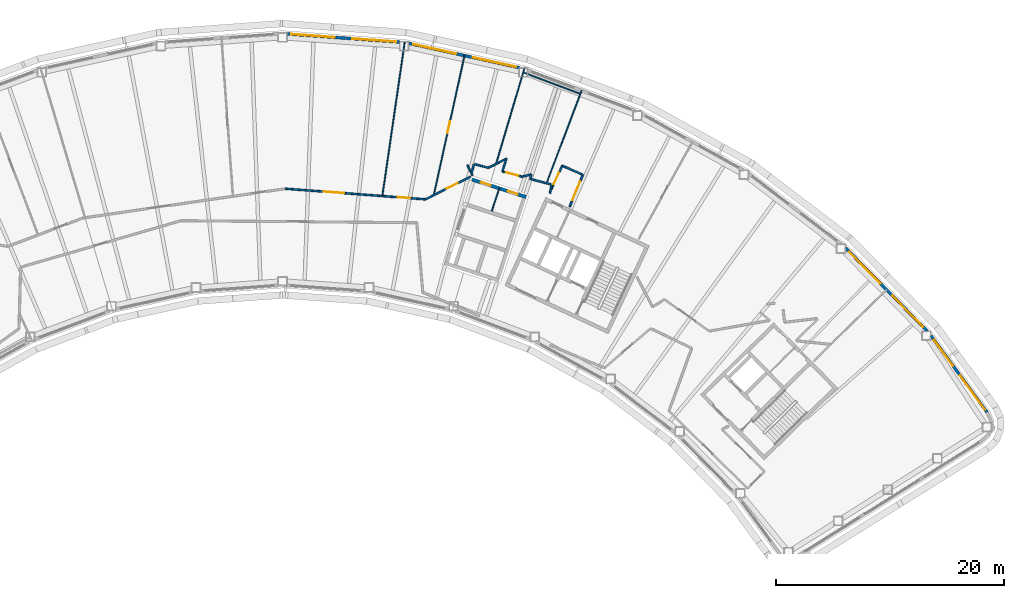
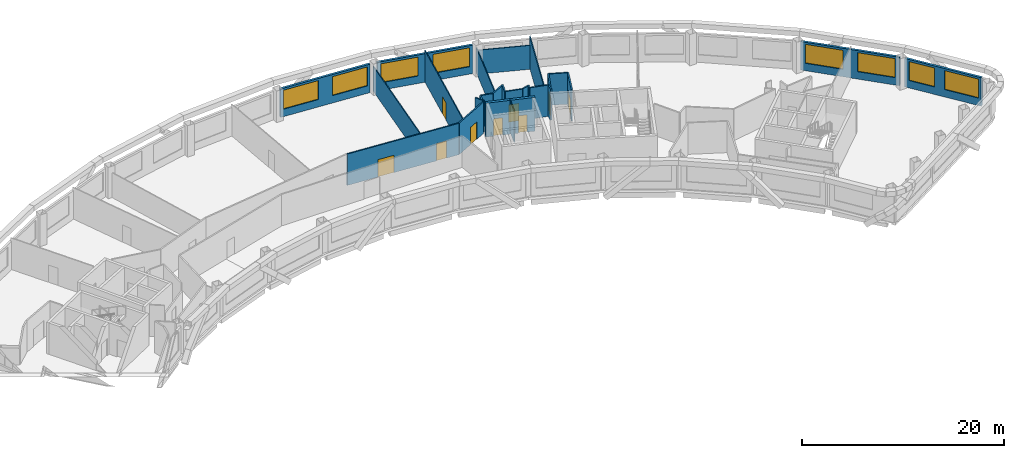
# One storey, part 10 of 18: 26 walls, 9 doors, 8 windows, 17 openings.
"""IFC4 building model written with IfcOpenShell, lengths in metres."""

from ifc_helpers import new_model, si_unit, direction, frame, frame_2d, origin, place, context, subcontext, project, spatial, rectangle, extrude, material, layer, layer_set, type_object, element, fill, save


model = new_model("IFC4")

# Units and contexts
model_context = context("Model", 3, precision=1e-05, world=origin(), true_north=direction((0.0, 1.0)))
body_context = subcontext(model_context, "Body", "Model", "MODEL_VIEW")
ifc_project = project(units=[si_unit("LENGTHUNIT", "METRE"), si_unit("AREAUNIT", "SQUARE_METRE"), si_unit("VOLUMEUNIT", "CUBIC_METRE"), si_unit("PLANEANGLEUNIT", "RADIAN"), si_unit("MASSUNIT", "GRAM", prefix="KILO")], contexts=[model_context])

# Site, building, storey
site_placement = place(None, origin())
site = spatial("IfcSite", under=ifc_project, at=site_placement, CompositionType="ELEMENT")
building_placement = place(site_placement, origin())
building = spatial("IfcBuilding", under=site, at=building_placement, Name="Tuul Gate Civic Tower", CompositionType="ELEMENT")
storey_placement = place(building_placement, frame((0.0, 0.0, 234.699951171875)))
storey = spatial("IfcBuildingStorey", under=building, at=storey_placement, Name="Level 53", CompositionType="ELEMENT", Elevation=234.699951171875)

# Wall
ifc_material_1 = material(Name="Gypsum board partition")
ifc_layer_1 = layer(ifc_material_1, 0.14990234375)
ifc_layer_set_1 = layer_set([ifc_layer_1], Name="Gypsum board partition")
wall_type_1 = type_object("IfcWallType", Name="Corridor wall P150", PredefinedType="PARTITIONING", material=ifc_layer_set_1)
wall_1_placement = place(storey_placement, frame((22.7490234375, 7.4619140625, 0.0), z_axis=(0.0, 0.0, 1.0), x_axis=(0.966766963354, -0.255659223513, 0.0)))
element("IfcWall", 1, at=wall_1_placement, inside=storey, type_object=wall_type_1, Name="p020", PredefinedType="PARTITIONING", context=body_context, shape_type="SweptSolid", body=[
    extrude(rectangle(XDim=1.236572265625, YDim=0.14990234375, at=frame_2d((0.6181640625, 0.0))), origin(), (0.0, 0.0, 1.0), 3.800048828125),
])

# Wall, opening, door
wall_2_placement = place(storey_placement, frame((25.201416015625, 6.8134765625, 0.0), z_axis=(0.0, 0.0, 1.0), x_axis=(0.966772165068, -0.255639552592, 0.0)))
wall_2 = element("IfcWall", 2, at=wall_2_placement, inside=storey, type_object=wall_type_1, Name="p021", PredefinedType="PARTITIONING", context=body_context, shape_type="SweptSolid", body=[
    extrude(rectangle(XDim=1.75048828125, YDim=0.14990234375, at=frame_2d((0.875244140625, 0.0))), origin(), (0.0, 0.0, 1.0), 3.800048828125),
])
opening_1_placement = place(wall_2_placement, frame((0.3251953125, 0.0, 0.0)))
opening_1 = element("IfcOpeningElement", 3, at=opening_1_placement, cuts=wall_2, Name="Opening S-D04", PredefinedType="OPENING", context=body_context, shape_type="SweptSolid", body=[
    extrude(rectangle(XDim=1.10009765625, YDim=2.10009765625, at=frame_2d((0.550048828125, 1.050048828125))), frame((0.0, 0.0849609375, 0.0), z_axis=(0.0, -1.0, 0.0), x_axis=(1.0, 0.0, 0.0)), (0.0, 0.0, 1.0), 0.169921875),
])
ifc_material_2 = material(Name="Timber door leaf", Category="wood")
door_type_1 = type_object("IfcDoorType", Name="Door D11", OperationType="NOTDEFINED", PredefinedType="DOOR", material=ifc_material_2)
door_1_placement = place(opening_1_placement, origin())
door_1 = element("IfcDoor", 4, at=door_1_placement, inside=storey, type_object=door_type_1, Name="Door S-D04", OperationType="SINGLE_SWING_LEFT", OverallHeight=2.10009765625, OverallWidth=1.10009765625, PredefinedType="DOOR", context=body_context, shape_type="SweptSolid", body=[
    extrude(rectangle(XDim=1.10009765625, YDim=2.10009765625, at=frame_2d((0.550048828125, 1.050048828125))), frame((0.0, 0.02490234375, 0.0), z_axis=(0.0, -1.0, 0.0), x_axis=(1.0, 0.0, 0.0)), (0.0, 0.0, 1.0), 0.050048828125),
])
fill(opening_1, door_1)

# Wall
wall_3_placement = place(storey_placement, frame((27.6220703125, 6.17333984375, 0.0), z_axis=(0.0, 0.0, 1.0), x_axis=(0.966770688765, -0.255645135577, 0.0)))
element("IfcWall", 5, at=wall_3_placement, inside=storey, type_object=wall_type_1, Name="p022", PredefinedType="PARTITIONING", context=body_context, shape_type="SweptSolid", body=[
    extrude(rectangle(XDim=1.8984375, YDim=0.14990234375, at=frame_2d((0.94921875, 0.0))), origin(), (0.0, 0.0, 1.0), 3.800048828125),
])

# Wall, opening, door
wall_4_placement = place(storey_placement, frame((31.073974609375, 3.73974609375, 0.0), z_axis=(0.0, 0.0, 1.0), x_axis=(0.384265474189, 0.923222641266, 0.0)))
wall_4 = element("IfcWall", 6, at=wall_4_placement, inside=storey, type_object=wall_type_1, Name="p023", PredefinedType="PARTITIONING", context=body_context, shape_type="SweptSolid", body=[
    extrude(rectangle(XDim=3.022216796875, YDim=0.14990234375, at=frame_2d((1.51123046875, 0.0))), origin(), (0.0, 0.0, 1.0), 3.800048828125),
])
opening_2_placement = place(wall_4_placement, frame((0.611083984375, 0.0, 0.0)))
opening_2 = element("IfcOpeningElement", 7, at=opening_2_placement, cuts=wall_4, Name="Opening S-D03", PredefinedType="OPENING", context=body_context, shape_type="SweptSolid", body=[
    extrude(rectangle(XDim=1.800048828125, YDim=2.10009765625, at=frame_2d((0.89990234375, 1.050048828125))), frame((0.0, 0.0849609375, 0.0), z_axis=(0.0, -1.0, 0.0), x_axis=(1.0, 0.0, 0.0)), (0.0, 0.0, 1.0), 0.169921875),
])
ifc_material_3 = material(Name="Timber door leaf, double", Category="wood")
door_type_2 = type_object("IfcDoorType", Name="Door D18", OperationType="DOUBLE_DOOR_SINGLE_SWING", PredefinedType="DOOR", material=ifc_material_3)
door_2_placement = place(opening_2_placement, frame((1.800048828125, 0.0, 0.0), z_axis=(0.0, 0.0, 1.0), x_axis=(-1.0, 0.0, 0.0)))
door_2 = element("IfcDoor", 8, at=door_2_placement, inside=storey, type_object=door_type_2, Name="Door S-D03", OperationType="DOUBLE_DOOR_SINGLE_SWING", OverallHeight=2.10009765625, OverallWidth=1.800048828125, PredefinedType="DOOR", context=body_context, shape_type="SweptSolid", body=[
    extrude(rectangle(XDim=1.800048828125, YDim=2.10009765625, at=frame_2d((0.900146484375, 1.050048828125))), frame((0.0, 0.02490234375, 0.0), z_axis=(0.0, -1.0, 0.0), x_axis=(1.0, 0.0, 0.0)), (0.0, 0.0, 1.0), 0.050048828125),
])
fill(opening_2, door_2)

# Wall
wall_5_placement = place(storey_placement, frame((30.43408203125, 7.323974609375, 0.0), z_axis=(0.0, 0.0, 1.0), x_axis=(0.915055154775, -0.403328729104, 0.0)))
element("IfcWall", 9, at=wall_5_placement, inside=storey, type_object=wall_type_1, Name="p024", PredefinedType="PARTITIONING", context=body_context, shape_type="SweptSolid", body=[
    extrude(rectangle(XDim=1.968505859375, YDim=0.14990234375, at=frame_2d((0.984375, 0.0))), origin(), (0.0, 0.0, 1.0), 3.800048828125),
])

# Wall, opening, door
wall_6_placement = place(storey_placement, frame((29.4541015625, 5.220947265625, 0.0), z_axis=(0.0, 0.0, 1.0), x_axis=(0.42237846942, 0.906419565417, 0.0)))
wall_6 = element("IfcWall", 10, at=wall_6_placement, inside=storey, type_object=wall_type_1, Name="p025", PredefinedType="PARTITIONING", context=body_context, shape_type="SweptSolid", body=[
    extrude(rectangle(XDim=2.320068359375, YDim=0.14990234375, at=frame_2d((1.16015625, 0.0))), origin(), (0.0, 0.0, 1.0), 3.800048828125),
])
opening_3_placement = place(wall_6_placement, frame((0.53515625, 0.0, 0.0)))
opening_3 = element("IfcOpeningElement", 11, at=opening_3_placement, cuts=wall_6, Name="Opening S-D21", PredefinedType="OPENING", context=body_context, shape_type="SweptSolid", body=[
    extrude(rectangle(XDim=1.10009765625, YDim=2.10009765625, at=frame_2d((0.550048828125, 1.050048828125))), frame((0.0, 0.0849609375, 0.0), z_axis=(0.0, -1.0, 0.0), x_axis=(1.0, 0.0, 0.0)), (0.0, 0.0, 1.0), 0.169921875),
])
door_3_placement = place(opening_3_placement, frame((1.10009765625, 0.0, 0.0), z_axis=(0.0, 0.0, 1.0), x_axis=(-1.0, 0.0, 0.0)))
door_3 = element("IfcDoor", 12, at=door_3_placement, inside=storey, type_object=door_type_1, Name="Door S-D21", OperationType="SINGLE_SWING_LEFT", OverallHeight=2.10009765625, OverallWidth=1.10009765625, PredefinedType="DOOR", context=body_context, shape_type="SweptSolid", body=[
    extrude(rectangle(XDim=1.10009765625, YDim=2.10009765625, at=frame_2d((0.550048828125, 1.050048828125))), frame((0.0, 0.02490234375, 0.0), z_axis=(0.0, -1.0, 0.0), x_axis=(1.0, 0.0, 0.0)), (0.0, 0.0, 1.0), 0.050048828125),
])
fill(opening_3, door_3)

# Walls
wall_7_placement = place(storey_placement, frame((29.353271484375, 4.8984375, 0.0), z_axis=(0.0, 0.0, 1.0), x_axis=(0.188374308582, 0.98209730672, 0.0)))
element("IfcWall", 13, at=wall_7_placement, inside=storey, type_object=wall_type_1, Name="p026", PredefinedType="PARTITIONING", context=body_context, shape_type="SweptSolid", body=[
    extrude(rectangle(XDim=0.74658203125, YDim=0.14990234375, at=frame_2d((0.373291015625, 0.0))), origin(), (0.0, 0.0, 1.0), 3.800048828125),
])
wall_8_placement = place(storey_placement, frame((27.608154296875, 6.19873046875, 0.0), z_axis=(0.0, 0.0, 1.0), x_axis=(0.309317275515, 0.950958896624, 0.0)))
element("IfcWall", 14, at=wall_8_placement, inside=storey, type_object=wall_type_1, Name="p028", PredefinedType="PARTITIONING", context=body_context, shape_type="SweptSolid", body=[
    extrude(rectangle(XDim=0.382080078125, YDim=0.14990234375, at=frame_2d((0.19091796875, 0.0))), origin(), (0.0, 0.0, 1.0), 3.800048828125),
])
wall_9_placement = place(storey_placement, frame((26.903564453125, 6.36572265625, 0.0), z_axis=(0.0, 0.0, 1.0), x_axis=(0.972523471912, 0.232804846558, 0.0)))
element("IfcWall", 15, at=wall_9_placement, inside=storey, type_object=wall_type_1, Name="p029", PredefinedType="PARTITIONING", context=body_context, shape_type="SweptSolid", body=[
    extrude(rectangle(XDim=0.84521484375, YDim=0.14990234375, at=frame_2d((0.422607421875, 0.0))), origin(), (0.0, 0.0, 1.0), 3.800048828125),
])
wall_10_placement = place(storey_placement, frame((25.1875, 6.8388671875, 0.0), z_axis=(0.0, 0.0, 1.0), x_axis=(0.308967256015, 0.95107267583, 0.0)))
element("IfcWall", 16, at=wall_10_placement, inside=storey, type_object=wall_type_1, Name="p030", PredefinedType="PARTITIONING", context=body_context, shape_type="SweptSolid", body=[
    extrude(rectangle(XDim=1.16162109375, YDim=0.14990234375, at=frame_2d((0.580810546875, 0.0))), origin(), (0.0, 0.0, 1.0), 3.800048828125),
])

# Wall, opening, door
wall_11_placement = place(storey_placement, frame((18.458251953125, 4.385498046875, 0.0), z_axis=(0.0, 0.0, 1.0), x_axis=(0.893696271794, 0.448672457125, 0.0)))
wall_11 = element("IfcWall", 17, at=wall_11_placement, inside=storey, type_object=wall_type_1, Name="p031", PredefinedType="PARTITIONING", context=body_context, shape_type="SweptSolid", body=[
    extrude(rectangle(XDim=4.416259765625, YDim=0.14990234375, at=frame_2d((2.2080078125, 0.0))), origin(), (0.0, 0.0, 1.0), 3.800048828125),
])
opening_4_placement = place(wall_11_placement, frame((2.0625, 0.0, 0.0)))
opening_4 = element("IfcOpeningElement", 18, at=opening_4_placement, cuts=wall_11, Name="Opening S-D05", PredefinedType="OPENING", context=body_context, shape_type="SweptSolid", body=[
    extrude(rectangle(XDim=1.10009765625, YDim=2.10009765625, at=frame_2d((0.550048828125, 1.050048828125))), frame((0.0, 0.0849609375, 0.0), z_axis=(0.0, -1.0, 0.0), x_axis=(1.0, 0.0, 0.0)), (0.0, 0.0, 1.0), 0.169921875),
])
door_4_placement = place(opening_4_placement, origin())
door_4 = element("IfcDoor", 19, at=door_4_placement, inside=storey, type_object=door_type_1, Name="Door S-D05", OperationType="SINGLE_SWING_LEFT", OverallHeight=2.10009765625, OverallWidth=1.10009765625, PredefinedType="DOOR", context=body_context, shape_type="SweptSolid", body=[
    extrude(rectangle(XDim=1.10009765625, YDim=2.10009765625, at=frame_2d((0.550048828125, 1.050048828125))), frame((0.0, 0.02490234375, 0.0), z_axis=(0.0, -1.0, 0.0), x_axis=(1.0, 0.0, 0.0)), (0.0, 0.0, 1.0), 0.050048828125),
])
fill(opening_4, door_4)

# Walls
wall_12_placement = place(storey_placement, frame((23.958740234375, 7.147216796875, 0.0), z_axis=(0.0, 0.0, 1.0), x_axis=(0.893711299551, 0.448642522567, 0.0)))
element("IfcWall", 20, at=wall_12_placement, inside=storey, type_object=wall_type_1, Name="p032", PredefinedType="PARTITIONING", context=body_context, shape_type="SweptSolid", body=[
    extrude(rectangle(XDim=1.776123046875, YDim=0.14990234375, at=frame_2d((0.88818359375, 0.0))), origin(), (0.0, 0.0, 1.0), 3.800048828125),
])
wall_13_placement = place(storey_placement, frame((22.49853515625, 6.71142578125, 0.0), z_axis=(0.0, 0.0, 1.0), x_axis=(0.255647435074, 0.966770080702, 0.0)))
element("IfcWall", 21, at=wall_13_placement, inside=storey, type_object=wall_type_1, Name="p034", PredefinedType="PARTITIONING", context=body_context, shape_type="SweptSolid", body=[
    extrude(rectangle(XDim=0.7392578125, YDim=0.14990234375, at=frame_2d((0.36962890625, 0.0))), origin(), (0.0, 0.0, 1.0), 3.800048828125),
])
wall_14_placement = place(storey_placement, frame((22.115478515625, 7.396240234375, 0.0), z_axis=(0.0, 0.0, 1.0), x_axis=(0.448825130378, -0.893619607182, 0.0)))
element("IfcWall", 22, at=wall_14_placement, inside=storey, type_object=wall_type_1, Name="p035", PredefinedType="PARTITIONING", context=body_context, shape_type="SweptSolid", body=[
    extrude(rectangle(XDim=1.02978515625, YDim=0.14990234375, at=frame_2d((0.514892578125, 0.0))), origin(), (0.0, 0.0, 1.0), 3.800048828125),
])

# Wall, openings, doors
wall_15_placement = place(storey_placement, frame((6.19970703125, 5.312255859375, 0.0), z_axis=(0.0, 0.0, 1.0), x_axis=(0.99713415173, -0.075653707469, 0.0)))
wall_15 = element("IfcWall", 23, at=wall_15_placement, inside=storey, type_object=wall_type_1, Name="p038", PredefinedType="PARTITIONING", context=body_context, shape_type="SweptSolid", body=[
    extrude(rectangle(XDim=12.2822265625, YDim=0.14990234375, at=frame_2d((6.14111328125, 0.0))), origin(), (0.0, 0.0, 1.0), 3.800048828125),
])
opening_5_placement = place(wall_15_placement, frame((9.842529296875, 0.0, 0.0)))
opening_5 = element("IfcOpeningElement", 24, at=opening_5_placement, cuts=wall_15, Name="Opening S-D06", PredefinedType="OPENING", context=body_context, shape_type="SweptSolid", body=[
    extrude(rectangle(XDim=1.10009765625, YDim=2.10009765625, at=frame_2d((0.550048828125, 1.050048828125))), frame((0.0, 0.0849609375, 0.0), z_axis=(0.0, -1.0, 0.0), x_axis=(1.0, 0.0, 0.0)), (0.0, 0.0, 1.0), 0.169921875),
])
opening_6_placement = place(wall_15_placement, frame((3.351318359375, 0.0, 0.0)))
opening_6 = element("IfcOpeningElement", 25, at=opening_6_placement, cuts=wall_15, Name="Opening S-D07", PredefinedType="OPENING", context=body_context, shape_type="SweptSolid", body=[
    extrude(rectangle(XDim=1.800048828125, YDim=2.10009765625, at=frame_2d((0.89990234375, 1.050048828125))), frame((0.0, 0.0849609375, 0.0), z_axis=(0.0, -1.0, 0.0), x_axis=(1.0, 0.0, 0.0)), (0.0, 0.0, 1.0), 0.169921875),
])
door_5_placement = place(opening_5_placement, origin())
door_5 = element("IfcDoor", 26, at=door_5_placement, inside=storey, type_object=door_type_1, Name="Door S-D06", OperationType="SINGLE_SWING_LEFT", OverallHeight=2.10009765625, OverallWidth=1.10009765625, PredefinedType="DOOR", context=body_context, shape_type="SweptSolid", body=[
    extrude(rectangle(XDim=1.10009765625, YDim=2.10009765625, at=frame_2d((0.550048828125, 1.050048828125))), frame((0.0, 0.02490234375, 0.0), z_axis=(0.0, -1.0, 0.0), x_axis=(1.0, 0.0, 0.0)), (0.0, 0.0, 1.0), 0.050048828125),
])
fill(opening_5, door_5)
door_6_placement = place(opening_6_placement, origin())
door_6 = element("IfcDoor", 27, at=door_6_placement, inside=storey, type_object=door_type_2, Name="Door S-D07", OperationType="DOUBLE_DOOR_SINGLE_SWING", OverallHeight=2.10009765625, OverallWidth=1.800048828125, PredefinedType="DOOR", context=body_context, shape_type="SweptSolid", body=[
    extrude(rectangle(XDim=1.800048828125, YDim=2.10009765625, at=frame_2d((0.89990234375, 1.050048828125))), frame((0.0, 0.02490234375, 0.0), z_axis=(0.0, -1.0, 0.0), x_axis=(1.0, 0.0, 0.0)), (0.0, 0.0, 1.0), 0.050048828125),
])
fill(opening_6, door_6)

# Wall, openings, windows
ifc_material_4 = material(Name="Precast concrete C40/50", Category="concrete")
ifc_layer_2 = layer(ifc_material_4, 0.25)
ifc_layer_set_2 = layer_set([ifc_layer_2], Name="Precast concrete C40/50")
wall_type_2 = type_object("IfcWallType", Name="External wall", PredefinedType="STANDARD", material=ifc_layer_set_2)
wall_16_placement = place(storey_placement, frame((67.629150390625, -14.27978515625, 0.0), z_axis=(0.0, 0.0, 1.0), x_axis=(-0.589826404933, 0.807530068817, 0.0)))
wall_16 = element("IfcWall", 28, at=wall_16_placement, inside=storey, type_object=wall_type_2, Name="External wall", PredefinedType="STANDARD", context=body_context, shape_type="SweptSolid", body=[
    extrude(rectangle(XDim=8.336669921875, YDim=0.25, at=frame_2d((4.16845703125, 0.0))), origin(), (0.0, 0.0, 1.0), 3.449951171875),
])
opening_7_placement = place(wall_16_placement, frame((0.30078125, 0.0, 0.89990234375)))
opening_7 = element("IfcOpeningElement", 29, at=opening_7_placement, cuts=wall_16, Name="Opening W21", PredefinedType="OPENING", context=body_context, shape_type="SweptSolid", body=[
    extrude(rectangle(XDim=3.699951171875, YDim=2.300048828125, at=frame_2d((1.85009765625, 1.14990234375))), frame((0.0, 0.135009765625, 0.0), z_axis=(0.0, -1.0, 0.0), x_axis=(1.0, 0.0, 0.0)), (0.0, 0.0, 1.0), 0.27001953125),
])
opening_8_placement = place(wall_16_placement, frame((5.052001953125, 0.0, 0.89990234375)))
opening_8 = element("IfcOpeningElement", 30, at=opening_8_placement, cuts=wall_16, Name="Opening W23", PredefinedType="OPENING", context=body_context, shape_type="SweptSolid", body=[
    extrude(rectangle(XDim=2.800048828125, YDim=2.300048828125, at=frame_2d((1.39990234375, 1.14990234375))), frame((0.0, 0.135009765625, 0.0), z_axis=(0.0, -1.0, 0.0), x_axis=(1.0, 0.0, 0.0)), (0.0, 0.0, 1.0), 0.27001953125),
])
ifc_material_5 = material(Name="Glass", Category="glass")
window_type_1 = type_object("IfcWindowType", Name="Window W21 3700 x 2300", PartitioningType="SINGLE_PANEL", PredefinedType="WINDOW", material=ifc_material_5)
window_1_placement = place(opening_7_placement, origin())
window_1 = element("IfcWindow", 31, at=window_1_placement, inside=storey, type_object=window_type_1, Name="Window", OverallHeight=2.300048828125, OverallWidth=3.699951171875, PartitioningType="SINGLE_PANEL", PredefinedType="WINDOW", context=body_context, shape_type="SweptSolid", body=[
    extrude(rectangle(XDim=3.699951171875, YDim=2.300048828125, at=frame_2d((1.85009765625, 1.14990234375))), frame((0.0, 0.030029296875, 0.0), z_axis=(0.0, -1.0, 0.0), x_axis=(1.0, 0.0, 0.0)), (0.0, 0.0, 1.0), 0.06005859375),
])
fill(opening_7, window_1)
ifc_material_6 = material(Name="Glass", Category="glass")
window_type_2 = type_object("IfcWindowType", Name="Window W23 2800 x 2300", PartitioningType="SINGLE_PANEL", PredefinedType="WINDOW", material=ifc_material_6)
window_2_placement = place(opening_8_placement, origin())
window_2 = element("IfcWindow", 32, at=window_2_placement, inside=storey, type_object=window_type_2, Name="Window", OverallHeight=2.300048828125, OverallWidth=2.800048828125, PartitioningType="SINGLE_PANEL", PredefinedType="WINDOW", context=body_context, shape_type="SweptSolid", body=[
    extrude(rectangle(XDim=2.800048828125, YDim=2.300048828125, at=frame_2d((1.39990234375, 1.14990234375))), frame((0.0, 0.030029296875, 0.0), z_axis=(0.0, -1.0, 0.0), x_axis=(1.0, 0.0, 0.0)), (0.0, 0.0, 1.0), 0.06005859375),
])
fill(opening_8, window_2)

wall_17_placement = place(storey_placement, frame((62.3740234375, -7.14990234375, 0.0), z_axis=(0.0, 0.0, 1.0), x_axis=(-0.699995514974, 0.714147239031, 0.0)))
wall_17 = element("IfcWall", 33, at=wall_17_placement, inside=storey, type_object=wall_type_2, Name="External wall", PredefinedType="STANDARD", context=body_context, shape_type="SweptSolid", body=[
    extrude(rectangle(XDim=10.19580078125, YDim=0.25, at=frame_2d((5.097900390625, 0.0))), origin(), (0.0, 0.0, 1.0), 3.449951171875),
])
opening_9_placement = place(wall_17_placement, frame((0.485595703125, 0.0, 0.89990234375)))
opening_9 = element("IfcOpeningElement", 34, at=opening_9_placement, cuts=wall_17, Name="Opening W22", PredefinedType="OPENING", context=body_context, shape_type="SweptSolid", body=[
    extrude(rectangle(XDim=3.85009765625, YDim=2.300048828125, at=frame_2d((1.925048828125, 1.14990234375))), frame((0.0, 0.135009765625, 0.0), z_axis=(0.0, -1.0, 0.0), x_axis=(1.0, 0.0, 0.0)), (0.0, 0.0, 1.0), 0.27001953125),
])
opening_10_placement = place(wall_17_placement, frame((5.85693359375, 0.0, 0.89990234375)))
opening_10 = element("IfcOpeningElement", 35, at=opening_10_placement, cuts=wall_17, Name="Opening W22", PredefinedType="OPENING", context=body_context, shape_type="SweptSolid", body=[
    extrude(rectangle(XDim=3.85009765625, YDim=2.300048828125, at=frame_2d((1.925048828125, 1.14990234375))), frame((0.0, 0.135009765625, 0.0), z_axis=(0.0, -1.0, 0.0), x_axis=(1.0, 0.0, 0.0)), (0.0, 0.0, 1.0), 0.27001953125),
])
ifc_material_7 = material(Name="Glass", Category="glass")
window_type_3 = type_object("IfcWindowType", Name="Window W22 3850 x 2300", PartitioningType="SINGLE_PANEL", PredefinedType="WINDOW", material=ifc_material_7)
window_3_placement = place(opening_9_placement, origin())
window_3 = element("IfcWindow", 36, at=window_3_placement, inside=storey, type_object=window_type_3, Name="Window", OverallHeight=2.300048828125, OverallWidth=3.85009765625, PartitioningType="SINGLE_PANEL", PredefinedType="WINDOW", context=body_context, shape_type="SweptSolid", body=[
    extrude(rectangle(XDim=3.85009765625, YDim=2.300048828125, at=frame_2d((1.925048828125, 1.14990234375))), frame((0.0, 0.030029296875, 0.0), z_axis=(0.0, -1.0, 0.0), x_axis=(1.0, 0.0, 0.0)), (0.0, 0.0, 1.0), 0.06005859375),
])
fill(opening_9, window_3)
window_4_placement = place(opening_10_placement, origin())
window_4 = element("IfcWindow", 37, at=window_4_placement, inside=storey, type_object=window_type_3, Name="Window", OverallHeight=2.300048828125, OverallWidth=3.85009765625, PartitioningType="SINGLE_PANEL", PredefinedType="WINDOW", context=body_context, shape_type="SweptSolid", body=[
    extrude(rectangle(XDim=3.85009765625, YDim=2.300048828125, at=frame_2d((1.925048828125, 1.14990234375))), frame((0.0, 0.030029296875, 0.0), z_axis=(0.0, -1.0, 0.0), x_axis=(1.0, 0.0, 0.0)), (0.0, 0.0, 1.0), 0.06005859375),
])
fill(opening_10, window_4)

wall_18_placement = place(storey_placement, frame((26.70947265625, 15.89599609375, 0.0), z_axis=(0.0, 0.0, 1.0), x_axis=(-0.976568745671, 0.215205680636, 0.0)))
wall_18 = element("IfcWall", 38, at=wall_18_placement, inside=storey, type_object=wall_type_2, Name="External wall", PredefinedType="STANDARD", context=body_context, shape_type="SweptSolid", body=[
    extrude(rectangle(XDim=9.95361328125, YDim=0.25, at=frame_2d((4.976806640625, 0.0))), origin(), (0.0, 0.0, 1.0), 3.449951171875),
])
opening_11_placement = place(wall_18_placement, frame((0.34228515625, 0.0, 0.89990234375)))
opening_11 = element("IfcOpeningElement", 39, at=opening_11_placement, cuts=wall_18, Name="Opening W22", PredefinedType="OPENING", context=body_context, shape_type="SweptSolid", body=[
    extrude(rectangle(XDim=3.85009765625, YDim=2.300048828125, at=frame_2d((1.925048828125, 1.14990234375))), frame((0.0, 0.135009765625, 0.0), z_axis=(0.0, -1.0, 0.0), x_axis=(1.0, 0.0, 0.0)), (0.0, 0.0, 1.0), 0.27001953125),
])
opening_12_placement = place(wall_18_placement, frame((5.713623046875, 0.0, 0.89990234375)))
opening_12 = element("IfcOpeningElement", 40, at=opening_12_placement, cuts=wall_18, Name="Opening W22", PredefinedType="OPENING", context=body_context, shape_type="SweptSolid", body=[
    extrude(rectangle(XDim=3.85009765625, YDim=2.300048828125, at=frame_2d((1.925048828125, 1.14990234375))), frame((0.0, 0.135009765625, 0.0), z_axis=(0.0, -1.0, 0.0), x_axis=(1.0, 0.0, 0.0)), (0.0, 0.0, 1.0), 0.27001953125),
])
window_5_placement = place(opening_11_placement, origin())
window_5 = element("IfcWindow", 41, at=window_5_placement, inside=storey, type_object=window_type_3, Name="Window", OverallHeight=2.300048828125, OverallWidth=3.85009765625, PartitioningType="SINGLE_PANEL", PredefinedType="WINDOW", context=body_context, shape_type="SweptSolid", body=[
    extrude(rectangle(XDim=3.85009765625, YDim=2.300048828125, at=frame_2d((1.925048828125, 1.14990234375))), frame((0.0, 0.030029296875, 0.0), z_axis=(0.0, -1.0, 0.0), x_axis=(1.0, 0.0, 0.0)), (0.0, 0.0, 1.0), 0.06005859375),
])
fill(opening_11, window_5)
window_6_placement = place(opening_12_placement, origin())
window_6 = element("IfcWindow", 42, at=window_6_placement, inside=storey, type_object=window_type_3, Name="Window", OverallHeight=2.300048828125, OverallWidth=3.85009765625, PartitioningType="SINGLE_PANEL", PredefinedType="WINDOW", context=body_context, shape_type="SweptSolid", body=[
    extrude(rectangle(XDim=3.85009765625, YDim=2.300048828125, at=frame_2d((1.925048828125, 1.14990234375))), frame((0.0, 0.030029296875, 0.0), z_axis=(0.0, -1.0, 0.0), x_axis=(1.0, 0.0, 0.0)), (0.0, 0.0, 1.0), 0.06005859375),
])
fill(opening_12, window_6)

wall_19_placement = place(storey_placement, frame((16.18896484375, 18.1484375, 0.0), z_axis=(0.0, 0.0, 1.0), x_axis=(-0.997381695554, 0.072317033774, 0.0)))
wall_19 = element("IfcWall", 43, at=wall_19_placement, inside=storey, type_object=wall_type_2, Name="External wall", PredefinedType="STANDARD", context=body_context, shape_type="SweptSolid", body=[
    extrude(rectangle(XDim=9.874755859375, YDim=0.25, at=frame_2d((4.9375, 0.0))), origin(), (0.0, 0.0, 1.0), 3.449951171875),
])
opening_13_placement = place(wall_19_placement, frame((0.303466796875, 0.0, 0.89990234375)))
opening_13 = element("IfcOpeningElement", 44, at=opening_13_placement, cuts=wall_19, Name="Opening W22", PredefinedType="OPENING", context=body_context, shape_type="SweptSolid", body=[
    extrude(rectangle(XDim=3.85009765625, YDim=2.300048828125, at=frame_2d((1.925048828125, 1.14990234375))), frame((0.0, 0.135009765625, 0.0), z_axis=(0.0, -1.0, 0.0), x_axis=(1.0, 0.0, 0.0)), (0.0, 0.0, 1.0), 0.27001953125),
])
opening_14_placement = place(wall_19_placement, frame((5.674560546875, 0.0, 0.89990234375)))
opening_14 = element("IfcOpeningElement", 45, at=opening_14_placement, cuts=wall_19, Name="Opening W22", PredefinedType="OPENING", context=body_context, shape_type="SweptSolid", body=[
    extrude(rectangle(XDim=3.85009765625, YDim=2.300048828125, at=frame_2d((1.925048828125, 1.14990234375))), frame((0.0, 0.135009765625, 0.0), z_axis=(0.0, -1.0, 0.0), x_axis=(1.0, 0.0, 0.0)), (0.0, 0.0, 1.0), 0.27001953125),
])
window_7_placement = place(opening_13_placement, origin())
window_7 = element("IfcWindow", 46, at=window_7_placement, inside=storey, type_object=window_type_3, Name="Window", OverallHeight=2.300048828125, OverallWidth=3.85009765625, PartitioningType="SINGLE_PANEL", PredefinedType="WINDOW", context=body_context, shape_type="SweptSolid", body=[
    extrude(rectangle(XDim=3.85009765625, YDim=2.300048828125, at=frame_2d((1.925048828125, 1.14990234375))), frame((0.0, 0.030029296875, 0.0), z_axis=(0.0, -1.0, 0.0), x_axis=(1.0, 0.0, 0.0)), (0.0, 0.0, 1.0), 0.06005859375),
])
fill(opening_13, window_7)
window_8_placement = place(opening_14_placement, origin())
window_8 = element("IfcWindow", 47, at=window_8_placement, inside=storey, type_object=window_type_3, Name="Window", OverallHeight=2.300048828125, OverallWidth=3.85009765625, PartitioningType="SINGLE_PANEL", PredefinedType="WINDOW", context=body_context, shape_type="SweptSolid", body=[
    extrude(rectangle(XDim=3.85009765625, YDim=2.300048828125, at=frame_2d((1.925048828125, 1.14990234375))), frame((0.0, 0.030029296875, 0.0), z_axis=(0.0, -1.0, 0.0), x_axis=(1.0, 0.0, 0.0)), (0.0, 0.0, 1.0), 0.06005859375),
])
fill(opening_14, window_8)

# Wall, openings, doors
ifc_material_8 = material(Name="Concrete C40/50", Category="concrete")
ifc_layer_3 = layer(ifc_material_8, 0.300048828125)
ifc_layer_set_3 = layer_set([ifc_layer_3], Name="Concrete C40/50")
wall_type_3 = type_object("IfcWallType", Name="Lift shaft wall C40/50", PredefinedType="STANDARD", material=ifc_layer_set_3)
wall_20_placement = place(storey_placement, frame((27.29150390625, 4.57666015625, -0.300048828125), z_axis=(0.0, 0.0, 1.0), x_axis=(-0.951067792613, 0.308982287281, 0.0)))
wall_20 = element("IfcWall", 48, at=wall_20_placement, inside=storey, type_object=wall_type_3, Name="Shaft wall", PredefinedType="STANDARD", context=body_context, shape_type="SweptSolid", body=[
    extrude(rectangle(XDim=5.0, YDim=0.300048828125, at=frame_2d((2.5, 0.0))), origin(), (0.0, 0.0, 1.0), 4.10009765625),
])
opening_15_placement = place(wall_20_placement, frame((0.800048828125, 0.0, 0.0)))
opening_15 = element("IfcOpeningElement", 49, at=opening_15_placement, cuts=wall_20, Name="Opening S-D38", PredefinedType="OPENING", context=body_context, shape_type="SweptSolid", body=[
    extrude(rectangle(XDim=0.89990234375, YDim=2.10009765625, at=frame_2d((0.449951171875, 1.050048828125))), frame((0.0, 0.16015625, 0.0), z_axis=(0.0, -1.0, 0.0), x_axis=(1.0, 0.0, 0.0)), (0.0, 0.0, 1.0), 0.320068359375),
])
opening_16_placement = place(wall_20_placement, frame((3.300048828125, 0.0, 0.0)))
opening_16 = element("IfcOpeningElement", 50, at=opening_16_placement, cuts=wall_20, Name="Opening S-D39", PredefinedType="OPENING", context=body_context, shape_type="SweptSolid", body=[
    extrude(rectangle(XDim=0.89990234375, YDim=2.10009765625, at=frame_2d((0.449951171875, 1.050048828125))), frame((0.0, 0.16015625, 0.0), z_axis=(0.0, -1.0, 0.0), x_axis=(1.0, 0.0, 0.0)), (0.0, 0.0, 1.0), 0.320068359375),
])
ifc_material_9 = material(Name="Timber door leaf", Category="wood")
door_type_3 = type_object("IfcDoorType", Name="Door D09", OperationType="NOTDEFINED", PredefinedType="DOOR", material=ifc_material_9)
door_7_placement = place(opening_15_placement, origin())
door_7 = element("IfcDoor", 51, at=door_7_placement, inside=storey, type_object=door_type_3, Name="Door S-D38", OperationType="SINGLE_SWING_LEFT", OverallHeight=2.10009765625, OverallWidth=0.89990234375, PredefinedType="DOOR", context=body_context, shape_type="SweptSolid", body=[
    extrude(rectangle(XDim=0.89990234375, YDim=2.10009765625, at=frame_2d((0.449951171875, 1.050048828125))), frame((0.0, 0.02490234375, 0.0), z_axis=(0.0, -1.0, 0.0), x_axis=(1.0, 0.0, 0.0)), (0.0, 0.0, 1.0), 0.050048828125),
])
fill(opening_15, door_7)
door_8_placement = place(opening_16_placement, origin())
door_8 = element("IfcDoor", 52, at=door_8_placement, inside=storey, type_object=door_type_3, Name="Door S-D39", OperationType="SINGLE_SWING_RIGHT", OverallHeight=2.10009765625, OverallWidth=0.89990234375, PredefinedType="DOOR", context=body_context, shape_type="SweptSolid", body=[
    extrude(rectangle(XDim=0.89990234375, YDim=2.10009765625, at=frame_2d((0.449951171875, 1.050048828125))), frame((0.0, 0.02490234375, 0.0), z_axis=(0.0, -1.0, 0.0), x_axis=(1.0, 0.0, 0.0)), (0.0, 0.0, 1.0), 0.050048828125),
])
fill(opening_16, door_8)

# Wall
ifc_material_10 = material(Name="Gypsum board partition")
ifc_layer_4 = layer(ifc_material_10, 0.10009765625)
ifc_layer_set_4 = layer_set([ifc_layer_4], Name="Gypsum board partition")
wall_type_4 = type_object("IfcWallType", Name="Partition P100", PredefinedType="PARTITIONING", material=ifc_layer_set_4)
wall_21_placement = place(storey_placement, frame((29.055419921875, 5.79443359375, 0.0), z_axis=(0.0, 0.0, 1.0), x_axis=(0.353707293238, 0.935356162491, 0.0)))
element("IfcWall", 53, at=wall_21_placement, inside=storey, type_object=wall_type_4, Name="p019", PredefinedType="PARTITIONING", context=body_context, shape_type="SweptSolid", body=[
    extrude(rectangle(XDim=8.68310546875, YDim=0.10009765625, at=frame_2d((4.341552734375, 0.0))), origin(), (0.0, 0.0, 1.0), 3.800048828125),
])

# Wall, opening, door
wall_22_placement = place(storey_placement, frame((19.180908203125, 4.748291015625, 0.0), z_axis=(0.0, 0.0, 1.0), x_axis=(0.215227681671, 0.976563897061, 0.0)))
wall_22 = element("IfcWall", 54, at=wall_22_placement, inside=storey, type_object=wall_type_4, Name="p033", PredefinedType="PARTITIONING", context=body_context, shape_type="SweptSolid", body=[
    extrude(rectangle(XDim=12.51171875, YDim=0.10009765625, at=frame_2d((6.255859375, 0.0))), origin(), (0.0, 0.0, 1.0), 3.800048828125),
])
opening_17_placement = place(wall_22_placement, frame((5.541015625, 0.0, 0.0)))
opening_17 = element("IfcOpeningElement", 55, at=opening_17_placement, cuts=wall_22, Name="Opening S-D22", PredefinedType="OPENING", context=body_context, shape_type="SweptSolid", body=[
    extrude(rectangle(XDim=1.10009765625, YDim=2.10009765625, at=frame_2d((0.550048828125, 1.050048828125))), frame((0.0, 0.06005859375, 0.0), z_axis=(0.0, -1.0, 0.0), x_axis=(1.0, 0.0, 0.0)), (0.0, 0.0, 1.0), 0.1201171875),
])
door_9_placement = place(opening_17_placement, frame((1.10009765625, 0.0, 0.0), z_axis=(0.0, 0.0, 1.0), x_axis=(-1.0, 0.0, 0.0)))
door_9 = element("IfcDoor", 56, at=door_9_placement, inside=storey, type_object=door_type_1, Name="Door S-D22", OperationType="SINGLE_SWING_LEFT", OverallHeight=2.10009765625, OverallWidth=1.10009765625, PredefinedType="DOOR", context=body_context, shape_type="SweptSolid", body=[
    extrude(rectangle(XDim=1.10009765625, YDim=2.10009765625, at=frame_2d((0.550048828125, 1.050048828125))), frame((0.0, 0.02490234375, 0.0), z_axis=(0.0, -1.0, 0.0), x_axis=(1.0, 0.0, 0.0)), (0.0, 0.0, 1.0), 0.050048828125),
])
fill(opening_17, door_9)

# Walls
wall_23_placement = place(storey_placement, frame((24.2646484375, 3.35205078125, 0.0), z_axis=(0.0, 0.0, 1.0), x_axis=(0.309138649025, 0.951016979701, 0.0)))
element("IfcWall", 57, at=wall_23_placement, inside=storey, type_object=wall_type_4, Name="bE4-BAND-0", PredefinedType="PARTITIONING", context=body_context, shape_type="SweptSolid", body=[
    extrude(rectangle(XDim=2.099853515625, YDim=0.10009765625, at=frame_2d((1.0498046875, 0.0))), origin(), (0.0, 0.0, 1.0), 3.800048828125),
])
ifc_material_11 = material(Name="Gypsum board partition")
ifc_layer_5 = layer(ifc_material_11, 0.10009765625)
ifc_layer_set_5 = layer_set([ifc_layer_5], Name="Gypsum board partition")
wall_type_5 = type_object("IfcWallType", Name="Partition P100 2900 HIGH", PredefinedType="PARTITIONING", material=ifc_layer_set_5)
wall_24_placement = place(storey_placement, frame((27.016357421875, 15.49560546875, 0.0), z_axis=(0.0, 0.0, 1.0), x_axis=(0.935382360369, -0.353638006881, 0.0)))
element("IfcWall", 58, at=wall_24_placement, inside=storey, type_object=wall_type_5, Name="p091", PredefinedType="PARTITIONING", context=body_context, shape_type="SweptSolid", body=[
    extrude(rectangle(XDim=5.338623046875, YDim=0.10009765625, at=frame_2d((2.66943359375, 0.0))), origin(), (0.0, 0.0, 1.0), 2.900146484375),
])
ifc_material_12 = material(Name="Gypsum board partition")
ifc_layer_6 = layer(ifc_material_12, 0.10009765625)
ifc_layer_set_6 = layer_set([ifc_layer_6], Name="Gypsum board partition")
wall_type_6 = type_object("IfcWallType", Name="Partition P100 3000 HIGH", PredefinedType="PARTITIONING", material=ifc_layer_set_6)
wall_25_placement = place(storey_placement, frame((24.632568359375, 7.485595703125, 0.0), z_axis=(0.0, 0.0, 1.0), x_axis=(0.285222863407, 0.958461224145, 0.0)))
element("IfcWall", 59, at=wall_25_placement, inside=storey, type_object=wall_type_6, Name="p027", PredefinedType="PARTITIONING", context=body_context, shape_type="SweptSolid", body=[
    extrude(rectangle(XDim=8.68798828125, YDim=0.10009765625, at=frame_2d((4.343994140625, 0.0))), origin(), (0.0, 0.0, 1.0), 3.0),
])
wall_26_placement = place(storey_placement, frame((14.677734375, 4.669189453125, 0.0), z_axis=(0.0, 0.0, 1.0), x_axis=(0.144111245807, 0.989561493204, 0.0)))
element("IfcWall", 60, at=wall_26_placement, inside=storey, type_object=wall_type_6, Name="p037", PredefinedType="PARTITIONING", context=body_context, shape_type="SweptSolid", body=[
    extrude(rectangle(XDim=13.593505859375, YDim=0.10009765625, at=frame_2d((6.796875, 0.0))), origin(), (0.0, 0.0, 1.0), 3.0),
])

save(model, "model.ifc")
